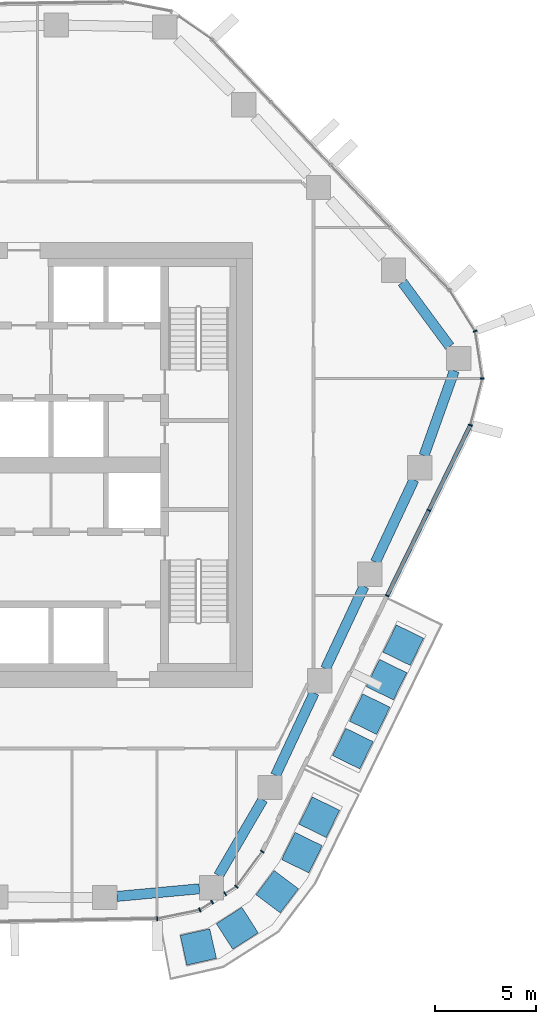
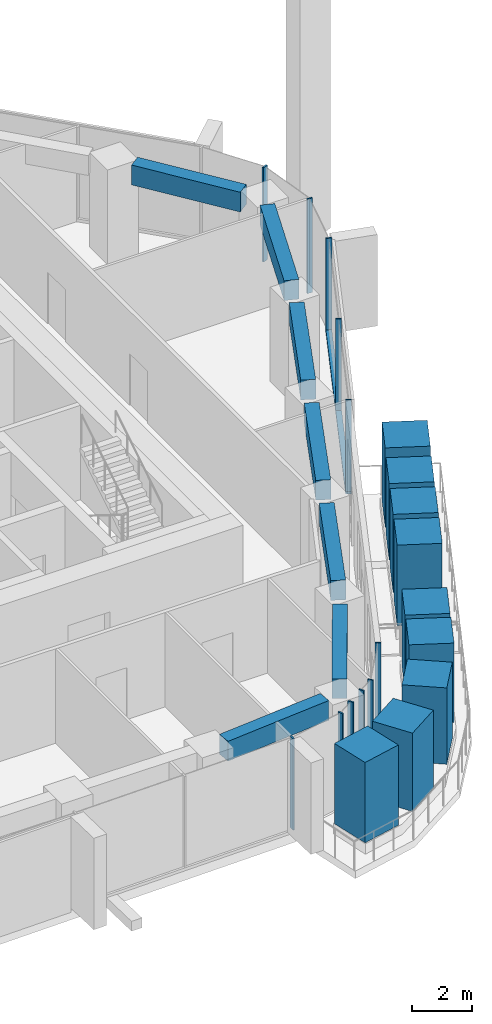
# One storey, part 5 of 18: 21 members, 7 beams, 5 elements without a shape of their own.
"""IFC4 building model written with IfcOpenShell, lengths in metres."""

from ifc_helpers import new_model, si_unit, direction, frame, origin, origin_2d, place, context, subcontext, project, spatial, rectangle, extrude, material, layer, layer_set, material_profile, profile_set, type_object, element, aggregate, save


model = new_model("IFC4")

# Units and contexts
model_context = context("Model", 3, precision=1e-05, world=origin(), true_north=direction((0.0, 1.0)))
body_context = subcontext(model_context, "Body", "Model", "MODEL_VIEW")
ifc_project = project(units=[si_unit("LENGTHUNIT", "METRE"), si_unit("AREAUNIT", "SQUARE_METRE"), si_unit("VOLUMEUNIT", "CUBIC_METRE"), si_unit("PLANEANGLEUNIT", "RADIAN"), si_unit("MASSUNIT", "GRAM", prefix="KILO")], contexts=[model_context])

# Site, building, storey
site_placement = place(None, origin())
site = spatial("IfcSite", under=ifc_project, at=site_placement, CompositionType="ELEMENT")
building_placement = place(site_placement, origin())
building = spatial("IfcBuilding", under=site, at=building_placement, Name="Dongbaek Canopy Tower", CompositionType="ELEMENT")
storey_placement = place(building_placement, frame((0.0, 0.0, 158.60009765625)))
storey = spatial("IfcBuildingStorey", under=building, at=storey_placement, Name="L34", CompositionType="ELEMENT", Elevation=158.60009765625)

# Curtain wall, members
ifc_material_1 = material(Name="Aluminium 6063-T6 pale anodised", Category="aluminium")
ifc_layer = layer(ifc_material_1, 0.199951171875)
ifc_layer_set = layer_set([ifc_layer], Name="CW-1 unitised tower curtain wall")
curtain_wall_type = type_object("IfcCurtainWallType", Name="CW-1 unitised tower curtain wall", PredefinedType="NOTDEFINED", material=ifc_layer_set)
curtain_wall_1_placement = place(storey_placement, origin())
curtain_wall_1 = element("IfcCurtainWall", 1, at=curtain_wall_1_placement, inside=storey, type_object=curtain_wall_type, Name="CW-1 curtain wall K0.1", PredefinedType="NOTDEFINED")
ifc_material_2 = material(Name="Aluminium 6063-T6 pale anodised", Category="aluminium")
ifc_material_profile_1 = material_profile(ifc_material_2, rectangle(XDim=0.199951171875, YDim=0.06005859375, at=origin_2d()), Name="CW-1 mullion 60 x 200")
ifc_profile_set_1 = profile_set([ifc_material_profile_1], Name="Aluminium 6063-T6 pale anodised")
member_type_1 = type_object("IfcMemberType", Name="CW-1 mullion 60 x 200", PredefinedType="MULLION", material=ifc_profile_set_1)
member_1_placement = place(storey_placement, frame((24.76123046875, 1.9658203125, 0.0), z_axis=(0.0, 0.0, 1.0), x_axis=(0.968425118829, -0.249304611313, 0.0)))
member_1 = element("IfcMember", 2, at=member_1_placement, type_object=member_type_1, Name="CW-1 mullion K0.1.1", PredefinedType="MULLION", context=body_context, shape_type="SweptSolid", body=[
    extrude(rectangle(XDim=0.199951171875, YDim=0.06005859375, at=origin_2d()), origin(), (0.0, 0.0, 1.0), 3.81982421875),
])
member_2_placement = place(storey_placement, frame((25.354248046875, 4.26953125, 0.0), z_axis=(0.0, 0.0, 1.0), x_axis=(0.998759637263, -0.04979143475, 0.0)))
member_2 = element("IfcMember", 3, at=member_2_placement, type_object=member_type_1, Name="CW-1 mullion K0.1.2", PredefinedType="MULLION", context=body_context, shape_type="SweptSolid", body=[
    extrude(rectangle(XDim=0.199951171875, YDim=0.06005859375, at=origin_2d()), origin(), (0.0, 0.0, 1.0), 3.81982421875),
])
member_3_placement = place(storey_placement, frame((24.994873046875, 6.6103515625, 0.0), z_axis=(0.0, 0.0, 1.0), x_axis=(0.937824276547, 0.347110395003, 0.0)))
member_3 = element("IfcMember", 4, at=member_3_placement, type_object=member_type_1, Name="CW-1 mullion K0.1.3", PredefinedType="MULLION", context=body_context, shape_type="SweptSolid", body=[
    extrude(rectangle(XDim=0.199951171875, YDim=0.06005859375, at=origin_2d()), origin(), (0.0, 0.0, 1.0), 3.81982421875),
])
aggregate(curtain_wall_1, [member_1, member_2, member_3])

# Curtain wall, member
curtain_wall_2_placement = place(storey_placement, origin())
curtain_wall_2 = element("IfcCurtainWall", 5, at=curtain_wall_2_placement, inside=storey, type_object=curtain_wall_type, Name="CW-1 curtain wall F4.1", PredefinedType="NOTDEFINED")
member_4_placement = place(storey_placement, frame((9.2841796875, -22.41845703125, 0.119873046875), z_axis=(0.0, 0.0, 1.0), x_axis=(0.020514717954, -0.999789551029, 0.0)))
member_4 = element("IfcMember", 6, at=member_4_placement, type_object=member_type_1, Name="CW-1 mullion F4.1.5", PredefinedType="MULLION", context=body_context, shape_type="SweptSolid", body=[
    extrude(rectangle(XDim=0.199951171875, YDim=0.06005859375, at=origin_2d()), origin(), (0.0, 0.0, 1.0), 3.699951171875),
])
aggregate(curtain_wall_2, [member_4])

# Curtain wall, members
curtain_wall_3_placement = place(storey_placement, origin())
curtain_wall_3 = element("IfcCurtainWall", 7, at=curtain_wall_3_placement, inside=storey, type_object=curtain_wall_type, Name="CW-1 curtain wall K5.1a", PredefinedType="NOTDEFINED")
member_5_placement = place(storey_placement, frame((11.392578125, -21.98388671875, 0.0), z_axis=(0.0, 0.0, 1.0), x_axis=(0.376398173311, -0.92645799426, 0.0)))
member_5 = element("IfcMember", 8, at=member_5_placement, type_object=member_type_1, Name="CW-1 mullion K5.1a.2", PredefinedType="MULLION", context=body_context, shape_type="SweptSolid", body=[
    extrude(rectangle(XDim=0.199951171875, YDim=0.06005859375, at=origin_2d()), origin(), (0.0, 0.0, 1.0), 3.81982421875),
])
member_6_placement = place(storey_placement, frame((12.001953125, -21.594482421875, 0.0), z_axis=(0.0, 0.0, 1.0), x_axis=(0.538452968789, -0.842655564511, 0.0)))
member_6 = element("IfcMember", 9, at=member_6_placement, type_object=member_type_1, Name="CW-1 mullion K5.1a.3", PredefinedType="MULLION", context=body_context, shape_type="SweptSolid", body=[
    extrude(rectangle(XDim=0.199951171875, YDim=0.06005859375, at=origin_2d()), origin(), (0.0, 0.0, 1.0), 3.81982421875),
])
aggregate(curtain_wall_3, [member_5, member_6])

curtain_wall_4_placement = place(storey_placement, origin())
curtain_wall_4 = element("IfcCurtainWall", 10, at=curtain_wall_4_placement, inside=storey, type_object=curtain_wall_type, Name="CW-1 curtain wall K5.1b", PredefinedType="NOTDEFINED")
member_7_placement = place(storey_placement, frame((12.64208984375, -21.185546875, 0.0), z_axis=(0.0, 0.0, 1.0), x_axis=(0.538452968789, -0.842655564511, 0.0)))
member_7 = element("IfcMember", 11, at=member_7_placement, type_object=member_type_1, Name="CW-1 mullion K5.1b.1", PredefinedType="MULLION", context=body_context, shape_type="SweptSolid", body=[
    extrude(rectangle(XDim=0.199951171875, YDim=0.06005859375, at=origin_2d()), origin(), (0.0, 0.0, 1.0), 3.81982421875),
])
member_8_placement = place(storey_placement, frame((13.198486328125, -20.830078125, 0.0), z_axis=(0.0, 0.0, 1.0), x_axis=(0.682585570445, -0.730805678016, 0.0)))
member_8 = element("IfcMember", 12, at=member_8_placement, type_object=member_type_1, Name="CW-1 mullion K5.1b.2", PredefinedType="MULLION", context=body_context, shape_type="SweptSolid", body=[
    extrude(rectangle(XDim=0.199951171875, YDim=0.06005859375, at=origin_2d()), origin(), (0.0, 0.0, 1.0), 3.81982421875),
])
member_9_placement = place(storey_placement, frame((14.478515625, -19.099365234375, 0.0), z_axis=(0.0, 0.0, 1.0), x_axis=(0.803998581724, -0.594631213935, 0.0)))
member_9 = element("IfcMember", 13, at=member_9_placement, type_object=member_type_1, Name="CW-1 mullion K5.1b.3", PredefinedType="MULLION", context=body_context, shape_type="SweptSolid", body=[
    extrude(rectangle(XDim=0.199951171875, YDim=0.06005859375, at=origin_2d()), origin(), (0.0, 0.0, 1.0), 3.81982421875),
])
aggregate(curtain_wall_4, [member_7, member_8, member_9])

curtain_wall_5_placement = place(storey_placement, origin())
curtain_wall_5 = element("IfcCurtainWall", 14, at=curtain_wall_5_placement, inside=storey, type_object=curtain_wall_type, Name="CW-1 curtain wall F5.1", PredefinedType="NOTDEFINED")
member_10_placement = place(storey_placement, frame((20.649169921875, -6.4580078125, 0.119873046875), z_axis=(0.0, 0.0, 1.0), x_axis=(0.898650818606, -0.438664685403, 0.0)))
member_10 = element("IfcMember", 15, at=member_10_placement, type_object=member_type_1, Name="CW-1 mullion F5.1.1", PredefinedType="MULLION", context=body_context, shape_type="SweptSolid", body=[
    extrude(rectangle(XDim=0.199951171875, YDim=0.06005859375, at=origin_2d()), origin(), (0.0, 0.0, 1.0), 3.699951171875),
])
member_11_placement = place(storey_placement, frame((22.707275390625, -2.241455078125, 0.119873046875), z_axis=(0.0, 0.0, 1.0), x_axis=(0.898650818606, -0.438664685403, 0.0)))
member_11 = element("IfcMember", 16, at=member_11_placement, type_object=member_type_1, Name="CW-1 mullion F5.1.2", PredefinedType="MULLION", context=body_context, shape_type="SweptSolid", body=[
    extrude(rectangle(XDim=0.199951171875, YDim=0.06005859375, at=origin_2d()), origin(), (0.0, 0.0, 1.0), 3.699951171875),
])
ifc_material_3 = material(Name="Aluminium 6063-T6 pale anodised", Category="aluminium")
ifc_material_profile_2 = material_profile(ifc_material_3, rectangle(XDim=0.199951171875, YDim=0.1201171875, at=origin_2d()), Name="CW-1 transom 120 x 200")
ifc_profile_set_2 = profile_set([ifc_material_profile_2], Name="Aluminium 6063-T6 pale anodised")
member_type_2 = type_object("IfcMemberType", Name="CW-1 transom 120 x 200", PredefinedType="USERDEFINED", material=ifc_profile_set_2)
member_12_placement = place(storey_placement, frame((20.649169921875, -6.4580078125, 0.059814453125), z_axis=(0.438671459596, 0.89864751184, 0.0), x_axis=(-0.89864751184, 0.438671459596, 0.0)))
member_12 = element("IfcMember", 17, at=member_12_placement, type_object=member_type_2, Name="CW-1 transom F5.1.1", ObjectType="TRANSOM", PredefinedType="USERDEFINED", context=body_context, shape_type="SweptSolid", body=[
    extrude(rectangle(XDim=0.199951171875, YDim=0.1201171875, at=origin_2d()), origin(), (0.0, 0.0, 1.0), 9.373779296875),
])
aggregate(curtain_wall_5, [member_10, member_11, member_12])

# Beams
ifc_material_4 = material(Name="Concrete C70", Category="concrete")
ifc_material_profile_3 = material_profile(ifc_material_4, rectangle(XDim=0.5, YDim=0.800048828125, at=origin_2d()), Name="RC EDGE BEAM 500x800 C70")
ifc_profile_set_3 = profile_set([ifc_material_profile_3], Name="Concrete C70")
beam_type = type_object("IfcBeamType", Name="RC EDGE BEAM 500x800 C70", PredefinedType="BEAM", material=ifc_profile_set_3)
beam_1_placement = place(storey_placement, frame((11.3720703125, -20.9404296875, 3.419921875), z_axis=(-0.995763065099, -0.091956066598, 0.0), x_axis=(0.091956066598, -0.995763065099, 0.0)))
element("IfcBeam", 18, at=beam_1_placement, inside=storey, type_object=beam_type, Name="EDGEBEAM:L34:00", PredefinedType="BEAM", context=body_context, shape_type="SweptSolid", body=[
    extrude(rectangle(XDim=0.5, YDim=0.800048828125, at=origin_2d()), origin(), (0.0, 0.0, 1.0), 4.09130859375),
])
beam_2_placement = place(storey_placement, frame((21.402587890625, 9.02099609375, 3.419921875), z_axis=(0.593743199573, -0.804654592332, 0.0), x_axis=(0.804654592332, 0.593743199573, 0.0)))
element("IfcBeam", 19, at=beam_2_placement, inside=storey, type_object=beam_type, Name="EDGEBEAM:L34:20", PredefinedType="BEAM", context=body_context, shape_type="SweptSolid", body=[
    extrude(rectangle(XDim=0.5, YDim=0.800048828125, at=origin_2d()), origin(), (0.0, 0.0, 1.0), 3.93212890625),
])
beam_3_placement = place(storey_placement, frame((23.965576171875, 4.656982421875, 3.419921875), z_axis=(-0.336398951073, -0.941719568511, 0.0), x_axis=(0.941719568511, -0.336398951073, 0.0)))
element("IfcBeam", 20, at=beam_3_placement, inside=storey, type_object=beam_type, Name="EDGEBEAM:L34:21", PredefinedType="BEAM", context=body_context, shape_type="SweptSolid", body=[
    extrude(rectangle(XDim=0.5, YDim=0.800048828125, at=origin_2d()), origin(), (0.0, 0.0, 1.0), 4.4501953125),
])
beam_4_placement = place(storey_placement, frame((21.972900390625, -0.73388671875, 3.419921875), z_axis=(-0.424114752544, -0.905608456605, 0.0), x_axis=(0.905608456605, -0.424114752544, 0.0)))
element("IfcBeam", 21, at=beam_4_placement, inside=storey, type_object=beam_type, Name="EDGEBEAM:L34:22", PredefinedType="BEAM", context=body_context, shape_type="SweptSolid", body=[
    extrude(rectangle(XDim=0.5, YDim=0.800048828125, at=origin_2d()), origin(), (0.0, 0.0, 1.0), 4.489013671875),
])
beam_5_placement = place(storey_placement, frame((19.507080078125, -5.9990234375, 3.419921875), z_axis=(-0.424057758342, -0.905635145956, 0.0), x_axis=(0.905635145956, -0.424057758342, 0.0)))
element("IfcBeam", 22, at=beam_5_placement, inside=storey, type_object=beam_type, Name="EDGEBEAM:L34:23", PredefinedType="BEAM", context=body_context, shape_type="SweptSolid", body=[
    extrude(rectangle(XDim=0.5, YDim=0.800048828125, at=origin_2d()), origin(), (0.0, 0.0, 1.0), 4.49072265625),
])
beam_6_placement = place(storey_placement, frame((17.041015625, -11.26611328125, 3.419921875), z_axis=(-0.424275059541, -0.905533364295, 0.0), x_axis=(0.905533364295, -0.424275059541, 0.0)))
element("IfcBeam", 23, at=beam_6_placement, inside=storey, type_object=beam_type, Name="EDGEBEAM:L34:24", PredefinedType="BEAM", context=body_context, shape_type="SweptSolid", body=[
    extrude(rectangle(XDim=0.5, YDim=0.800048828125, at=origin_2d()), origin(), (0.0, 0.0, 1.0), 4.489990234375),
])
beam_7_placement = place(storey_placement, frame((14.505859375, -16.531982421875, 3.419921875), z_axis=(-0.503073799677, -0.864243456486, 0.0), x_axis=(0.864243456486, -0.503073799677, 0.0)))
element("IfcBeam", 24, at=beam_7_placement, inside=storey, type_object=beam_type, Name="EDGEBEAM:L34:25", PredefinedType="BEAM", context=body_context, shape_type="SweptSolid", body=[
    extrude(rectangle(XDim=0.5, YDim=0.800048828125, at=origin_2d()), origin(), (0.0, 0.0, 1.0), 4.342529296875),
])

# Members
ifc_material_5 = material(Name="Concrete C40/50 planter mass with planting", Category="concrete")
ifc_material_profile_4 = material_profile(ifc_material_5, rectangle(XDim=1.5, YDim=1.5, at=origin_2d()), Name="Terrace PLANTER shrub mass 1500 x 1500")
ifc_profile_set_4 = profile_set([ifc_material_profile_4], Name="Concrete C40/50 planter mass with planting")
member_type_3 = type_object("IfcMemberType", Name="Terrace PLANTER shrub mass 1500 x 1500", PredefinedType="USERDEFINED", material=ifc_profile_set_4)
member_13_placement = place(storey_placement, frame((18.951904296875, -14.015625, 0.419921875), z_axis=(0.0, 0.0, 1.0), x_axis=(0.898650818606, -0.438664685403, 0.0)))
element("IfcMember", 25, at=member_13_placement, inside=storey, type_object=member_type_3, Name="Planter shrubs L34 2.1", ObjectType="PLANTER", PredefinedType="USERDEFINED", context=body_context, shape_type="SweptSolid", body=[
    extrude(rectangle(XDim=1.5, YDim=1.5, at=origin_2d()), origin(), (0.0, 0.0, 1.0), 3.25),
])
member_14_placement = place(storey_placement, frame((19.78369140625, -12.311767578125, 0.419921875), z_axis=(0.0, 0.0, 1.0), x_axis=(0.898650818606, -0.438664685403, 0.0)))
element("IfcMember", 26, at=member_14_placement, inside=storey, type_object=member_type_3, Name="Planter shrubs L34 2.2", ObjectType="PLANTER", PredefinedType="USERDEFINED", context=body_context, shape_type="SweptSolid", body=[
    extrude(rectangle(XDim=1.5, YDim=1.5, at=origin_2d()), origin(), (0.0, 0.0, 1.0), 3.169921875),
])
member_15_placement = place(storey_placement, frame((20.615234375, -10.60791015625, 0.419921875), z_axis=(0.0, 0.0, 1.0), x_axis=(0.898650818606, -0.438664685403, 0.0)))
element("IfcMember", 27, at=member_15_placement, inside=storey, type_object=member_type_3, Name="Planter shrubs L34 2.3", ObjectType="PLANTER", PredefinedType="USERDEFINED", context=body_context, shape_type="SweptSolid", body=[
    extrude(rectangle(XDim=1.5, YDim=1.5, at=origin_2d()), origin(), (0.0, 0.0, 1.0), 3.090087890625),
])
member_16_placement = place(storey_placement, frame((21.447021484375, -8.904052734375, 0.419921875), z_axis=(0.0, 0.0, 1.0), x_axis=(0.898650818606, -0.438664685403, 0.0)))
element("IfcMember", 28, at=member_16_placement, inside=storey, type_object=member_type_3, Name="Planter shrubs L34 2.4", ObjectType="PLANTER", PredefinedType="USERDEFINED", context=body_context, shape_type="SweptSolid", body=[
    extrude(rectangle(XDim=1.5, YDim=1.5, at=origin_2d()), origin(), (0.0, 0.0, 1.0), 3.2099609375),
])
member_17_placement = place(storey_placement, frame((11.31689453125, -23.812744140625, 0.419921875), z_axis=(0.0, 0.0, 1.0), x_axis=(0.219698440725, -0.975567832159, 0.0)))
element("IfcMember", 29, at=member_17_placement, inside=storey, type_object=member_type_3, Name="Planter shrubs L34 4.1", ObjectType="PLANTER", PredefinedType="USERDEFINED", context=body_context, shape_type="SweptSolid", body=[
    extrude(rectangle(XDim=1.5, YDim=1.5, at=origin_2d()), origin(), (0.0, 0.0, 1.0), 3.25),
])
member_18_placement = place(storey_placement, frame((13.244140625, -22.8916015625, 0.419921875), z_axis=(0.0, 0.0, 1.0), x_axis=(0.538452968789, -0.842655564511, 0.0)))
element("IfcMember", 30, at=member_18_placement, inside=storey, type_object=member_type_3, Name="Planter shrubs L34 4.2", ObjectType="PLANTER", PredefinedType="USERDEFINED", context=body_context, shape_type="SweptSolid", body=[
    extrude(rectangle(XDim=1.5, YDim=1.5, at=origin_2d()), origin(), (0.0, 0.0, 1.0), 3.169921875),
])
member_19_placement = place(storey_placement, frame((15.21533203125, -21.083740234375, 0.419921875), z_axis=(0.0, 0.0, 1.0), x_axis=(0.799227668184, -0.60102839734, 0.0)))
element("IfcMember", 31, at=member_19_placement, inside=storey, type_object=member_type_3, Name="Planter shrubs L34 4.3", ObjectType="PLANTER", PredefinedType="USERDEFINED", context=body_context, shape_type="SweptSolid", body=[
    extrude(rectangle(XDim=1.5, YDim=1.5, at=origin_2d()), origin(), (0.0, 0.0, 1.0), 3.090087890625),
])
member_20_placement = place(storey_placement, frame((16.43798828125, -19.153564453125, 0.419921875), z_axis=(0.0, 0.0, 1.0), x_axis=(0.897856053685, -0.440289117356, 0.0)))
element("IfcMember", 32, at=member_20_placement, inside=storey, type_object=member_type_3, Name="Planter shrubs L34 4.4", ObjectType="PLANTER", PredefinedType="USERDEFINED", context=body_context, shape_type="SweptSolid", body=[
    extrude(rectangle(XDim=1.5, YDim=1.5, at=origin_2d()), origin(), (0.0, 0.0, 1.0), 3.2099609375),
])
member_21_placement = place(storey_placement, frame((17.295654296875, -17.404541015625, 0.419921875), z_axis=(0.0, 0.0, 1.0), x_axis=(0.897856053685, -0.440289117356, 0.0)))
element("IfcMember", 33, at=member_21_placement, inside=storey, type_object=member_type_3, Name="Planter shrubs L34 4.5", ObjectType="PLANTER", PredefinedType="USERDEFINED", context=body_context, shape_type="SweptSolid", body=[
    extrude(rectangle(XDim=1.5, YDim=1.5, at=origin_2d()), origin(), (0.0, 0.0, 1.0), 3.050048828125),
])

save(model, "model.ifc")
